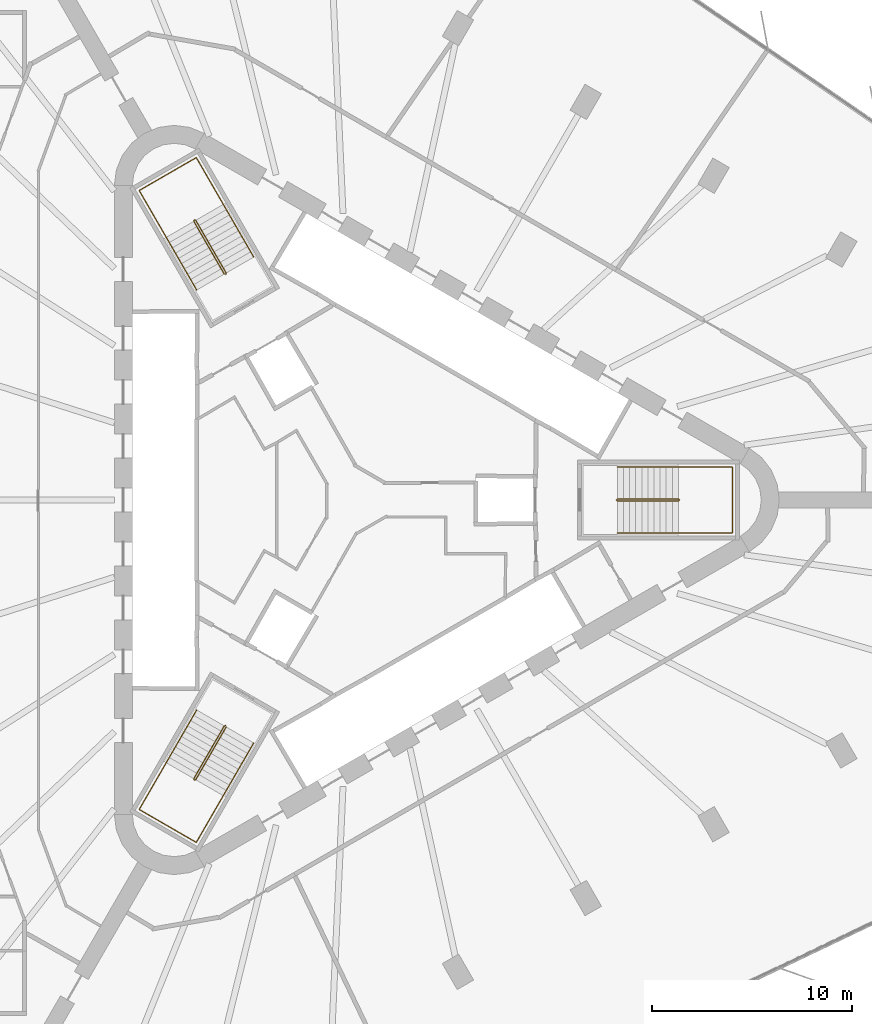
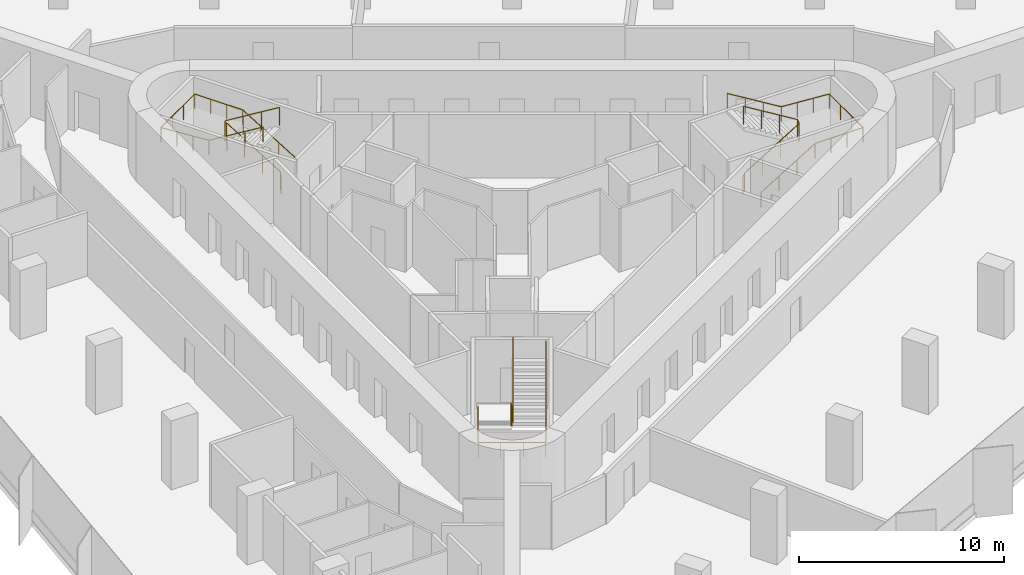
# One storey, part 15 of 15: 6 railings.
"""IFC4 building model written with IfcOpenShell, lengths in metres."""

from ifc_helpers import new_model, si_unit, direction, frame, origin, origin_2d, place, context, subcontext, project, spatial, circle, extrude, material, type_object, element, save


model = new_model("IFC4")

# Units and contexts
model_context = context("Model", 3, precision=1e-05, world=origin(), true_north=direction((0.0, 1.0)))
body_context = subcontext(model_context, "Body", "Model", "MODEL_VIEW")
ifc_project = project(units=[si_unit("LENGTHUNIT", "METRE"), si_unit("AREAUNIT", "SQUARE_METRE"), si_unit("VOLUMEUNIT", "CUBIC_METRE"), si_unit("PLANEANGLEUNIT", "RADIAN"), si_unit("MASSUNIT", "GRAM", prefix="KILO")], contexts=[model_context])

# Site, building, storey
site_placement = place(None, origin())
site = spatial("IfcSite", under=ifc_project, at=site_placement, CompositionType="ELEMENT")
building_placement = place(site_placement, origin())
building = spatial("IfcBuilding", under=site, at=building_placement, Name="Tanit Gate Tower", CompositionType="ELEMENT")
storey_placement = place(building_placement, frame((0.0, 0.0, 94.699951171875)))
storey = spatial("IfcBuildingStorey", under=building, at=storey_placement, Name="L19", CompositionType="ELEMENT", Elevation=94.699951171875)

# Railings
ifc_material_1 = material(Name="Stainless steel balustrade", Category="steel")
railing_type_1 = type_object("IfcRailingType", Name="INT-STAIR-GUARD", PredefinedType="GUARDRAIL", material=ifc_material_1)
railing_1_placement = place(storey_placement, frame((13.044921875, 0.0048828125, 0.0)))
element("IfcRailing", 1, at=railing_1_placement, inside=storey, type_object=railing_type_1, Name="L19 S1 stair guard 1", PredefinedType="GUARDRAIL", context=body_context, shape_type="SweptSolid", body=[
    extrude(circle(Radius=0.02392578125, at=origin_2d()), frame((0.0, 0.0, 1.076171875), z_axis=(0.0, -1.0, 0.0), x_axis=(1.0, 0.0, 0.0)), (0.0, 0.0, 1.0), 0.009765625),
    extrude(circle(Radius=0.02392578125, at=origin_2d()), frame((0.0, -0.009765625, 1.076171875), z_axis=(0.250869701741, -0.250869701741, 0.934948546978), x_axis=(0.707106781187, 0.707106781187, 0.0)), (0.0, 0.0, 1.0), 0.199462890625),
    extrude(circle(Radius=0.02392578125, at=origin_2d()), frame((0.050048828125, -0.059814453125, 1.2626953125), z_axis=(0.853405036568, 0.0, 0.521248351134), x_axis=(0.0, 1.0, 0.0)), (0.0, 0.0, 1.0), 3.5751953125),
    extrude(circle(Radius=0.02392578125, at=origin_2d()), frame((3.10107421875, -0.059814453125, 3.1259765625), z_axis=(0.707106781187, 0.707106781187, 0.0), x_axis=(-0.707106781187, 0.707106781187, 0.0)), (0.0, 0.0, 1.0), 0.07080078125),
    extrude(circle(Radius=0.02392578125, at=origin_2d()), frame((3.151123046875, -0.009765625, 3.1259765625), z_axis=(0.0, 1.0, 0.0), x_axis=(-1.0, 0.0, 0.0)), (0.0, 0.0, 1.0), 0.009765625),
    extrude(circle(Radius=0.02392578125, at=origin_2d()), frame((3.151123046875, 0.0, 3.1259765625), z_axis=(-0.251157038772, 0.251157038772, 0.934794246747), x_axis=(-0.707106781187, -0.707106781187, 0.0)), (0.0, 0.0, 1.0), 0.19921875),
    extrude(circle(Radius=0.02392578125, at=origin_2d()), frame((3.10107421875, 0.050048828125, 3.3125), z_axis=(-0.853374658889, 0.0, 0.521298083217), x_axis=(0.0, -1.0, 0.0)), (0.0, 0.0, 1.0), 3.5751953125),
    extrude(circle(Radius=0.02099609375, at=origin_2d()), origin(), (0.0, 0.0, 1.0), 1.052001953125),
    extrude(circle(Radius=0.02099609375, at=origin_2d()), frame((0.0, -0.009765625, 0.0)), (0.0, 0.0, 1.0), 1.052001953125),
    extrude(circle(Radius=0.02099609375, at=origin_2d()), frame((0.050048828125, -0.059814453125, 0.1865234375)), (0.0, 0.0, 1.0), 1.052001953125),
    extrude(circle(Radius=0.02099609375, at=origin_2d()), frame((1.067138671875, -0.059814453125, 0.8076171875)), (0.0, 0.0, 1.0), 1.052001953125),
    extrude(circle(Radius=0.02099609375, at=origin_2d()), frame((2.083984375, -0.059814453125, 1.428955078125)), (0.0, 0.0, 1.0), 1.052001953125),
    extrude(circle(Radius=0.02099609375, at=origin_2d()), frame((3.10107421875, -0.059814453125, 2.050048828125)), (0.0, 0.0, 1.0), 1.052001953125),
    extrude(circle(Radius=0.02099609375, at=origin_2d()), frame((3.151123046875, -0.009765625, 2.050048828125)), (0.0, 0.0, 1.0), 1.052001953125),
    extrude(circle(Radius=0.02099609375, at=origin_2d()), frame((3.151123046875, 0.0, 2.050048828125)), (0.0, 0.0, 1.0), 1.052001953125),
    extrude(circle(Radius=0.02099609375, at=origin_2d()), frame((3.10107421875, 0.050048828125, 2.236328125)), (0.0, 0.0, 1.0), 1.052001953125),
    extrude(circle(Radius=0.02099609375, at=origin_2d()), frame((2.083984375, 0.050048828125, 2.857666015625)), (0.0, 0.0, 1.0), 1.052001953125),
    extrude(circle(Radius=0.02099609375, at=origin_2d()), frame((1.067138671875, 0.050048828125, 3.478759765625)), (0.0, 0.0, 1.0), 1.052001953125),
    extrude(circle(Radius=0.02099609375, at=origin_2d()), frame((0.050048828125, 0.050048828125, 4.10009765625)), (0.0, 0.0, 1.0), 1.052001953125),
])
railing_2_placement = place(storey_placement, frame((-6.527099609375, 11.29345703125, 0.0)))
element("IfcRailing", 2, at=railing_2_placement, inside=storey, type_object=railing_type_1, Name="L19 S2 stair guard 1", PredefinedType="GUARDRAIL", context=body_context, shape_type="SweptSolid", body=[
    extrude(circle(Radius=0.02392578125, at=origin_2d()), frame((0.0, 0.0, 1.076171875), z_axis=(0.868243142124, 0.496138938357, 0.0), x_axis=(-0.496138938357, 0.868243142124, 0.0)), (0.0, 0.0, 1.0), 0.01171875),
    extrude(circle(Radius=0.02392578125, at=origin_2d()), frame((0.01025390625, 0.005859375, 1.076171875), z_axis=(0.09178331637, 0.342657714447, 0.934966049419), x_axis=(-0.965948051503, 0.258736085224, 0.0)), (0.0, 0.0, 1.0), 0.199462890625),
    extrude(circle(Radius=0.02392578125, at=origin_2d()), frame((0.028564453125, 0.07421875, 1.2626953125), z_axis=(-0.426651696395, 0.73893750972, 0.521478366466), x_axis=(-0.866012246495, -0.500022788402, 0.0)), (0.0, 0.0, 1.0), 3.573486328125),
    extrude(circle(Radius=0.02392578125, at=origin_2d()), frame((-1.49609375, 2.71484375, 3.1259765625), z_axis=(-0.965715946433, 0.259601060869, 0.0), x_axis=(-0.259601060869, -0.965715946433, 0.0)), (0.0, 0.0, 1.0), 0.070556640625),
    extrude(circle(Radius=0.02392578125, at=origin_2d()), frame((-1.564208984375, 2.733154296875, 3.1259765625), z_axis=(-0.873197702015, -0.487366159264, 0.0), x_axis=(0.487366159264, -0.873197702015, 0.0)), (0.0, 0.0, 1.0), 0.011962890625),
    extrude(circle(Radius=0.02392578125, at=origin_2d()), frame((-1.57470703125, 2.727294921875, 3.1259765625), z_axis=(-0.091888445584, -0.343050196848, 0.93481178641), x_axis=(0.965948051503, -0.258736085224, 0.0)), (0.0, 0.0, 1.0), 0.19921875),
    extrude(circle(Radius=0.02392578125, at=origin_2d()), frame((-1.593017578125, 2.658935546875, 3.3125), z_axis=(0.426636495959, -0.738911183393, 0.521528104107), x_axis=(0.866012246495, 0.500022788402, 0.0)), (0.0, 0.0, 1.0), 3.57373046875),
    extrude(circle(Radius=0.02099609375, at=origin_2d()), origin(), (0.0, 0.0, 1.0), 1.052001953125),
    extrude(circle(Radius=0.02099609375, at=origin_2d()), frame((0.01025390625, 0.005859375, 0.0)), (0.0, 0.0, 1.0), 1.052001953125),
    extrude(circle(Radius=0.02099609375, at=origin_2d()), frame((0.028564453125, 0.07421875, 0.1865234375)), (0.0, 0.0, 1.0), 1.052001953125),
    extrude(circle(Radius=0.02099609375, at=origin_2d()), frame((-0.479736328125, 0.954345703125, 0.8076171875)), (0.0, 0.0, 1.0), 1.052001953125),
    extrude(circle(Radius=0.02099609375, at=origin_2d()), frame((-0.98779296875, 1.834716796875, 1.428955078125)), (0.0, 0.0, 1.0), 1.052001953125),
    extrude(circle(Radius=0.02099609375, at=origin_2d()), frame((-1.49609375, 2.71484375, 2.050048828125)), (0.0, 0.0, 1.0), 1.052001953125),
    extrude(circle(Radius=0.02099609375, at=origin_2d()), frame((-1.564208984375, 2.733154296875, 2.050048828125)), (0.0, 0.0, 1.0), 1.052001953125),
    extrude(circle(Radius=0.02099609375, at=origin_2d()), frame((-1.57470703125, 2.727294921875, 2.050048828125)), (0.0, 0.0, 1.0), 1.052001953125),
    extrude(circle(Radius=0.02099609375, at=origin_2d()), frame((-1.593017578125, 2.658935546875, 2.236328125)), (0.0, 0.0, 1.0), 1.052001953125),
    extrude(circle(Radius=0.02099609375, at=origin_2d()), frame((-1.084716796875, 1.77880859375, 2.857666015625)), (0.0, 0.0, 1.0), 1.052001953125),
    extrude(circle(Radius=0.02099609375, at=origin_2d()), frame((-0.57666015625, 0.8984375, 3.478759765625)), (0.0, 0.0, 1.0), 1.052001953125),
    extrude(circle(Radius=0.02099609375, at=origin_2d()), frame((-0.068359375, 0.018310546875, 4.10009765625)), (0.0, 0.0, 1.0), 1.052001953125),
])
railing_3_placement = place(storey_placement, frame((-6.51806640625, -11.2998046875, 0.0)))
element("IfcRailing", 3, at=railing_3_placement, inside=storey, type_object=railing_type_1, Name="L19 S3 stair guard 1", PredefinedType="GUARDRAIL", context=body_context, shape_type="SweptSolid", body=[
    extrude(circle(Radius=0.02392578125, at=origin_2d()), frame((0.0, 0.0, 1.076171875), z_axis=(-0.874157276122, 0.485642931179, 0.0), x_axis=(-0.485642931179, -0.874157276122, 0.0)), (0.0, 0.0, 1.0), 0.010009765625),
    extrude(circle(Radius=0.02392578125, at=origin_2d()), frame((-0.0087890625, 0.0048828125, 1.076171875), z_axis=(-0.342695952383, -0.090569644558, 0.935070384359), x_axis=(0.255512919477, -0.966805641264, 0.0)), (0.0, 0.0, 1.0), 0.199462890625),
    extrude(circle(Radius=0.02392578125, at=origin_2d()), frame((-0.0771484375, -0.01318359375, 1.2626953125), z_axis=(-0.426668548982, -0.73908990167, 0.521248565042), x_axis=(0.866048339477, -0.499960272111, 0.0)), (0.0, 0.0, 1.0), 3.5751953125),
    extrude(circle(Radius=0.02392578125, at=origin_2d()), frame((-1.6025390625, -2.655517578125, 3.1259765625), z_axis=(0.258736085224, -0.965948051503, 0.0), x_axis=(0.965948051503, 0.258736085224, 0.0)), (0.0, 0.0, 1.0), 0.07080078125),
    extrude(circle(Radius=0.02392578125, at=origin_2d()), frame((-1.584228515625, -2.723876953125, 3.1259765625), z_axis=(0.868243142124, -0.496138938357, 0.0), x_axis=(0.496138938357, 0.868243142124, 0.0)), (0.0, 0.0, 1.0), 0.009765625),
    extrude(circle(Radius=0.02392578125, at=origin_2d()), frame((-1.57568359375, -2.728759765625, 3.1259765625), z_axis=(0.343050196848, 0.091888445584, 0.93481178641), x_axis=(-0.258736085224, 0.965948051503, 0.0)), (0.0, 0.0, 1.0), 0.19921875),
    extrude(circle(Radius=0.02392578125, at=origin_2d()), frame((-1.50732421875, -2.71044921875, 3.3125), z_axis=(0.42673074944, 0.739011069041, 0.521309416102), x_axis=(-0.865993683553, 0.500054937028, 0.0)), (0.0, 0.0, 1.0), 3.5751953125),
    extrude(circle(Radius=0.02099609375, at=origin_2d()), origin(), (0.0, 0.0, 1.0), 1.052001953125),
    extrude(circle(Radius=0.02099609375, at=origin_2d()), frame((-0.0087890625, 0.0048828125, 0.0)), (0.0, 0.0, 1.0), 1.052001953125),
    extrude(circle(Radius=0.02099609375, at=origin_2d()), frame((-0.0771484375, -0.01318359375, 0.1865234375)), (0.0, 0.0, 1.0), 1.052001953125),
    extrude(circle(Radius=0.02099609375, at=origin_2d()), frame((-0.585693359375, -0.89404296875, 0.8076171875)), (0.0, 0.0, 1.0), 1.052001953125),
    extrude(circle(Radius=0.02099609375, at=origin_2d()), frame((-1.093994140625, -1.774658203125, 1.428955078125)), (0.0, 0.0, 1.0), 1.052001953125),
    extrude(circle(Radius=0.02099609375, at=origin_2d()), frame((-1.6025390625, -2.655517578125, 2.050048828125)), (0.0, 0.0, 1.0), 1.052001953125),
    extrude(circle(Radius=0.02099609375, at=origin_2d()), frame((-1.584228515625, -2.723876953125, 2.050048828125)), (0.0, 0.0, 1.0), 1.052001953125),
    extrude(circle(Radius=0.02099609375, at=origin_2d()), frame((-1.57568359375, -2.728759765625, 2.050048828125)), (0.0, 0.0, 1.0), 1.052001953125),
    extrude(circle(Radius=0.02099609375, at=origin_2d()), frame((-1.50732421875, -2.71044921875, 2.236328125)), (0.0, 0.0, 1.0), 1.052001953125),
    extrude(circle(Radius=0.02099609375, at=origin_2d()), frame((-0.998779296875, -1.829833984375, 2.857666015625)), (0.0, 0.0, 1.0), 1.052001953125),
    extrude(circle(Radius=0.02099609375, at=origin_2d()), frame((-0.490234375, -0.948974609375, 3.478759765625)), (0.0, 0.0, 1.0), 1.052001953125),
    extrude(circle(Radius=0.02099609375, at=origin_2d()), frame((0.018310546875, -0.068359375, 4.10009765625)), (0.0, 0.0, 1.0), 1.052001953125),
])
ifc_material_2 = material(Name="Stainless steel handrail", Category="steel")
railing_type_2 = type_object("IfcRailingType", Name="INT-STAIR-HANDRAIL", PredefinedType="HANDRAIL", material=ifc_material_2)
railing_4_placement = place(storey_placement, frame((13.094970703125, -1.64990234375, 0.1865234375)))
element("IfcRailing", 4, at=railing_4_placement, inside=storey, type_object=railing_type_2, Name="L19 S1 stair handrail 1", PredefinedType="HANDRAIL", context=body_context, shape_type="SweptSolid", body=[
    extrude(circle(Radius=0.02392578125, at=origin_2d()), frame((0.0, 0.0, 0.8759765625), z_axis=(0.853405036568, 0.0, 0.521248351134), x_axis=(0.0, 1.0, 0.0)), (0.0, 0.0, 1.0), 3.5751953125),
    extrude(circle(Radius=0.02392578125, at=origin_2d()), frame((3.051025390625, 0.0, 2.7392578125), z_axis=(1.0, 0.0, 0.0), x_axis=(0.0, 1.0, 0.0)), (0.0, 0.0, 1.0), 2.7041015625),
    extrude(circle(Radius=0.02392578125, at=origin_2d()), frame((5.755126953125, 0.0, 2.7392578125), z_axis=(0.0, 1.0, 0.0), x_axis=(-1.0, 0.0, 0.0)), (0.0, 0.0, 1.0), 3.2998046875),
    extrude(circle(Radius=0.02392578125, at=origin_2d()), frame((5.755126953125, 3.2998046875, 2.7392578125), z_axis=(-0.997635655124, 0.0, 0.06872481084), x_axis=(0.0, -1.0, 0.0)), (0.0, 0.0, 1.0), 2.71044921875),
    extrude(circle(Radius=0.02392578125, at=origin_2d()), frame((3.051025390625, 3.2998046875, 2.92578125), z_axis=(-0.853374658889, 0.0, 0.521298083217), x_axis=(0.0, -1.0, 0.0)), (0.0, 0.0, 1.0), 3.5751953125),
    extrude(circle(Radius=0.02099609375, at=origin_2d()), origin(), (0.0, 0.0, 1.0), 0.851806640625),
    extrude(circle(Radius=0.02099609375, at=origin_2d()), frame((1.01708984375, 0.0, 0.62109375)), (0.0, 0.0, 1.0), 0.851806640625),
    extrude(circle(Radius=0.02099609375, at=origin_2d()), frame((2.033935546875, 0.0, 1.242431640625)), (0.0, 0.0, 1.0), 0.851806640625),
    extrude(circle(Radius=0.02099609375, at=origin_2d()), frame((3.051025390625, 0.0, 1.863525390625)), (0.0, 0.0, 1.0), 0.851806640625),
    extrude(circle(Radius=0.02099609375, at=origin_2d()), frame((3.952392578125, 0.0, 1.863525390625)), (0.0, 0.0, 1.0), 0.851806640625),
    extrude(circle(Radius=0.02099609375, at=origin_2d()), frame((4.853759765625, 0.0, 1.863525390625)), (0.0, 0.0, 1.0), 0.851806640625),
    extrude(circle(Radius=0.02099609375, at=origin_2d()), frame((5.755126953125, 0.0, 1.863525390625)), (0.0, 0.0, 1.0), 0.851806640625),
    extrude(circle(Radius=0.02099609375, at=origin_2d()), frame((5.755126953125, 1.099853515625, 1.863525390625)), (0.0, 0.0, 1.0), 0.851806640625),
    extrude(circle(Radius=0.02099609375, at=origin_2d()), frame((5.755126953125, 2.199951171875, 1.863525390625)), (0.0, 0.0, 1.0), 0.851806640625),
    extrude(circle(Radius=0.02099609375, at=origin_2d()), frame((5.755126953125, 3.2998046875, 1.863525390625)), (0.0, 0.0, 1.0), 0.851806640625),
    extrude(circle(Radius=0.02099609375, at=origin_2d()), frame((4.853759765625, 3.2998046875, 1.925537109375)), (0.0, 0.0, 1.0), 0.851806640625),
    extrude(circle(Radius=0.02099609375, at=origin_2d()), frame((3.952392578125, 3.2998046875, 1.98779296875)), (0.0, 0.0, 1.0), 0.851806640625),
    extrude(circle(Radius=0.02099609375, at=origin_2d()), frame((3.051025390625, 3.2998046875, 2.0498046875)), (0.0, 0.0, 1.0), 0.851806640625),
    extrude(circle(Radius=0.02099609375, at=origin_2d()), frame((2.033935546875, 3.2998046875, 2.671142578125)), (0.0, 0.0, 1.0), 0.851806640625),
    extrude(circle(Radius=0.02099609375, at=origin_2d()), frame((1.01708984375, 3.2998046875, 3.292236328125)), (0.0, 0.0, 1.0), 0.851806640625),
    extrude(circle(Radius=0.02099609375, at=origin_2d()), frame((0.0, 3.2998046875, 3.91357421875)), (0.0, 0.0, 1.0), 0.851806640625),
])
railing_5_placement = place(storey_placement, frame((-5.1181640625, 12.164794921875, 0.1865234375)))
element("IfcRailing", 5, at=railing_5_placement, inside=storey, type_object=railing_type_2, Name="L19 S2 stair handrail 1", PredefinedType="HANDRAIL", context=body_context, shape_type="SweptSolid", body=[
    extrude(circle(Radius=0.02392578125, at=origin_2d()), frame((0.0, 0.0, 0.8759765625), z_axis=(-0.426595811233, 0.738959047773, 0.521493566166), x_axis=(-0.866046917185, -0.499962735845, 0.0)), (0.0, 0.0, 1.0), 3.573486328125),
    extrude(circle(Radius=0.02392578125, at=origin_2d()), frame((-1.5244140625, 2.640625, 2.7392578125), z_axis=(-0.500019123664, 0.86601436245, 0.0), x_axis=(-0.86601436245, -0.500019123664, 0.0)), (0.0, 0.0, 1.0), 2.70703125),
    extrude(circle(Radius=0.02392578125, at=origin_2d()), frame((-2.8779296875, 4.98486328125, 2.7392578125), z_axis=(-0.866008176907, -0.50002983664, 0.0), x_axis=(0.50002983664, -0.866008176907, 0.0)), (0.0, 0.0, 1.0), 3.300048828125),
    extrude(circle(Radius=0.02392578125, at=origin_2d()), frame((-5.73583984375, 3.334716796875, 2.7392578125), z_axis=(0.498878146149, -0.863948246966, 0.06865873476), x_axis=(0.865991810323, 0.500058181068, 0.0)), (0.0, 0.0, 1.0), 2.713134765625),
    extrude(circle(Radius=0.02392578125, at=origin_2d()), frame((-4.38232421875, 0.99072265625, 2.92578125), z_axis=(0.42661496006, -0.738942197433, 0.521501778238), x_axis=(0.866032263162, 0.499988119021, 0.0)), (0.0, 0.0, 1.0), 3.57373046875),
    extrude(circle(Radius=0.02099609375, at=origin_2d()), origin(), (0.0, 0.0, 1.0), 0.851806640625),
    extrude(circle(Radius=0.02099609375, at=origin_2d()), frame((-0.508056640625, 0.880126953125, 0.62109375)), (0.0, 0.0, 1.0), 0.851806640625),
    extrude(circle(Radius=0.02099609375, at=origin_2d()), frame((-1.016357421875, 1.760498046875, 1.242431640625)), (0.0, 0.0, 1.0), 0.851806640625),
    extrude(circle(Radius=0.02099609375, at=origin_2d()), frame((-1.5244140625, 2.640625, 1.863525390625)), (0.0, 0.0, 1.0), 0.851806640625),
    extrude(circle(Radius=0.02099609375, at=origin_2d()), frame((-1.9755859375, 3.422119140625, 1.863525390625)), (0.0, 0.0, 1.0), 0.851806640625),
    extrude(circle(Radius=0.02099609375, at=origin_2d()), frame((-2.4267578125, 4.203369140625, 1.863525390625)), (0.0, 0.0, 1.0), 0.851806640625),
    extrude(circle(Radius=0.02099609375, at=origin_2d()), frame((-2.8779296875, 4.98486328125, 1.863525390625)), (0.0, 0.0, 1.0), 0.851806640625),
    extrude(circle(Radius=0.02099609375, at=origin_2d()), frame((-3.83056640625, 4.434814453125, 1.863525390625)), (0.0, 0.0, 1.0), 0.851806640625),
    extrude(circle(Radius=0.02099609375, at=origin_2d()), frame((-4.783203125, 3.884765625, 1.863525390625)), (0.0, 0.0, 1.0), 0.851806640625),
    extrude(circle(Radius=0.02099609375, at=origin_2d()), frame((-5.73583984375, 3.334716796875, 1.863525390625)), (0.0, 0.0, 1.0), 0.851806640625),
    extrude(circle(Radius=0.02099609375, at=origin_2d()), frame((-5.28466796875, 2.553466796875, 1.925537109375)), (0.0, 0.0, 1.0), 0.851806640625),
    extrude(circle(Radius=0.02099609375, at=origin_2d()), frame((-4.83349609375, 1.77197265625, 1.98779296875)), (0.0, 0.0, 1.0), 0.851806640625),
    extrude(circle(Radius=0.02099609375, at=origin_2d()), frame((-4.38232421875, 0.99072265625, 2.0498046875)), (0.0, 0.0, 1.0), 0.851806640625),
    extrude(circle(Radius=0.02099609375, at=origin_2d()), frame((-3.8740234375, 0.1103515625, 2.671142578125)), (0.0, 0.0, 1.0), 0.851806640625),
    extrude(circle(Radius=0.02099609375, at=origin_2d()), frame((-3.365966796875, -0.769775390625, 3.292236328125)), (0.0, 0.0, 1.0), 0.851806640625),
    extrude(circle(Radius=0.02099609375, at=origin_2d()), frame((-2.857666015625, -1.650146484375, 3.91357421875)), (0.0, 0.0, 1.0), 0.851806640625),
])
railing_6_placement = place(storey_placement, frame((-7.9765625, -10.515625, 0.1865234375)))
element("IfcRailing", 6, at=railing_6_placement, inside=storey, type_object=railing_type_2, Name="L19 S3 stair handrail 1", PredefinedType="HANDRAIL", context=body_context, shape_type="SweptSolid", body=[
    extrude(circle(Radius=0.02392578125, at=origin_2d()), frame((0.0, 0.0, 0.8759765625), z_axis=(-0.426668548982, -0.73908990167, 0.521248565042), x_axis=(0.866048339477, -0.499960272111, 0.0)), (0.0, 0.0, 1.0), 3.5751953125),
    extrude(circle(Radius=0.02392578125, at=origin_2d()), frame((-1.525390625, -2.642333984375, 2.7392578125), z_axis=(-0.50004290449, -0.866000631449, 0.0), x_axis=(0.866000631449, -0.50004290449, 0.0)), (0.0, 0.0, 1.0), 2.703857421875),
    extrude(circle(Radius=0.02392578125, at=origin_2d()), frame((-2.87744140625, -4.98388671875, 2.7392578125), z_axis=(0.866008176907, -0.50002983664, 0.0), x_axis=(0.50002983664, 0.866008176907, 0.0)), (0.0, 0.0, 1.0), 3.300048828125),
    extrude(circle(Radius=0.02392578125, at=origin_2d()), frame((-0.01953125, -6.634033203125, 2.7392578125), z_axis=(0.498821607388, 0.86397559734, 0.068725331607), x_axis=(-0.866023205937, 0.500003806764, 0.0)), (0.0, 0.0, 1.0), 2.71044921875),
    extrude(circle(Radius=0.02392578125, at=origin_2d()), frame((1.33251953125, -4.292236328125, 2.92578125), z_axis=(0.42665336134, 0.739063593114, 0.52129829713), x_axis=(-0.866048339477, 0.499960272111, 0.0)), (0.0, 0.0, 1.0), 3.5751953125),
    extrude(circle(Radius=0.02099609375, at=origin_2d()), origin(), (0.0, 0.0, 1.0), 0.851806640625),
    extrude(circle(Radius=0.02099609375, at=origin_2d()), frame((-0.508544921875, -0.880859375, 0.62109375)), (0.0, 0.0, 1.0), 0.851806640625),
    extrude(circle(Radius=0.02099609375, at=origin_2d()), frame((-1.016845703125, -1.761474609375, 1.242431640625)), (0.0, 0.0, 1.0), 0.851806640625),
    extrude(circle(Radius=0.02099609375, at=origin_2d()), frame((-1.525390625, -2.642333984375, 1.863525390625)), (0.0, 0.0, 1.0), 0.851806640625),
    extrude(circle(Radius=0.02099609375, at=origin_2d()), frame((-1.97607421875, -3.4228515625, 1.863525390625)), (0.0, 0.0, 1.0), 0.851806640625),
    extrude(circle(Radius=0.02099609375, at=origin_2d()), frame((-2.4267578125, -4.203369140625, 1.863525390625)), (0.0, 0.0, 1.0), 0.851806640625),
    extrude(circle(Radius=0.02099609375, at=origin_2d()), frame((-2.87744140625, -4.98388671875, 1.863525390625)), (0.0, 0.0, 1.0), 0.851806640625),
    extrude(circle(Radius=0.02099609375, at=origin_2d()), frame((-1.9248046875, -5.533935546875, 1.863525390625)), (0.0, 0.0, 1.0), 0.851806640625),
    extrude(circle(Radius=0.02099609375, at=origin_2d()), frame((-0.97216796875, -6.083984375, 1.863525390625)), (0.0, 0.0, 1.0), 0.851806640625),
    extrude(circle(Radius=0.02099609375, at=origin_2d()), frame((-0.01953125, -6.634033203125, 1.863525390625)), (0.0, 0.0, 1.0), 0.851806640625),
    extrude(circle(Radius=0.02099609375, at=origin_2d()), frame((0.43115234375, -5.853515625, 1.925537109375)), (0.0, 0.0, 1.0), 0.851806640625),
    extrude(circle(Radius=0.02099609375, at=origin_2d()), frame((0.8818359375, -5.07275390625, 1.98779296875)), (0.0, 0.0, 1.0), 0.851806640625),
    extrude(circle(Radius=0.02099609375, at=origin_2d()), frame((1.33251953125, -4.292236328125, 2.0498046875)), (0.0, 0.0, 1.0), 0.851806640625),
    extrude(circle(Radius=0.02099609375, at=origin_2d()), frame((1.841064453125, -3.411376953125, 2.671142578125)), (0.0, 0.0, 1.0), 0.851806640625),
    extrude(circle(Radius=0.02099609375, at=origin_2d()), frame((2.349365234375, -2.53076171875, 3.292236328125)), (0.0, 0.0, 1.0), 0.851806640625),
    extrude(circle(Radius=0.02099609375, at=origin_2d()), frame((2.85791015625, -1.64990234375, 3.91357421875)), (0.0, 0.0, 1.0), 0.851806640625),
])

save(model, "model.ifc")
